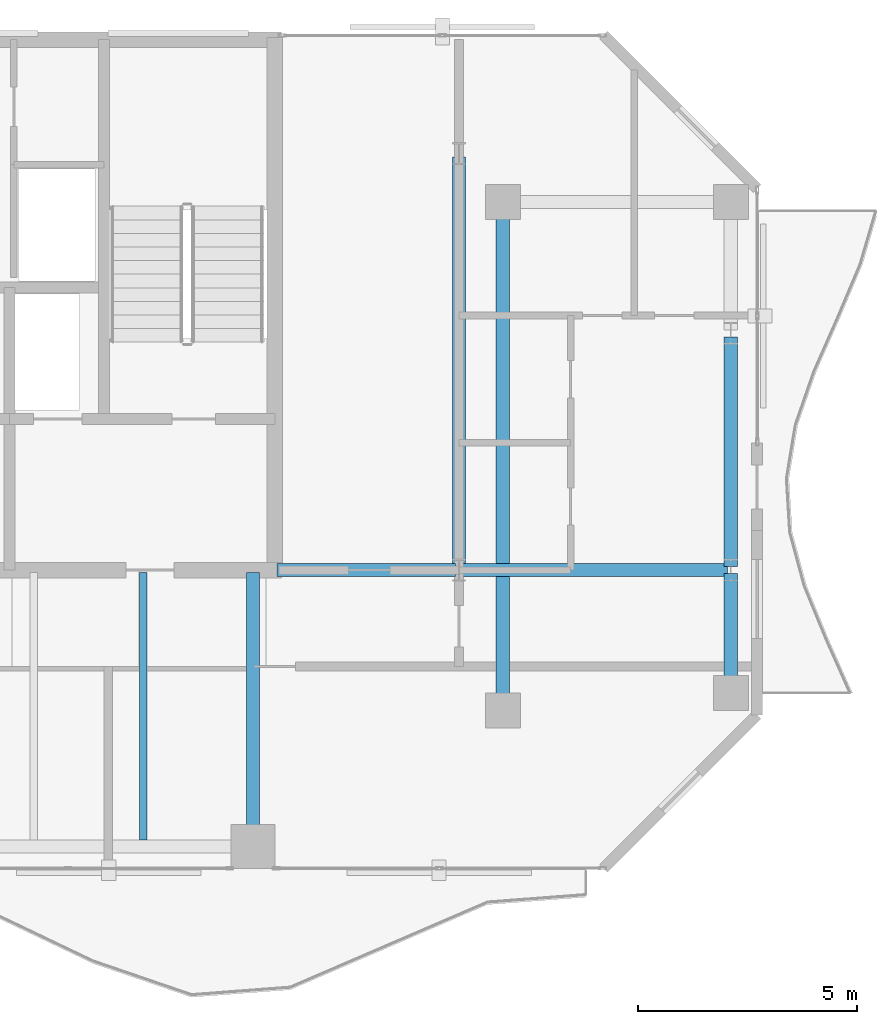
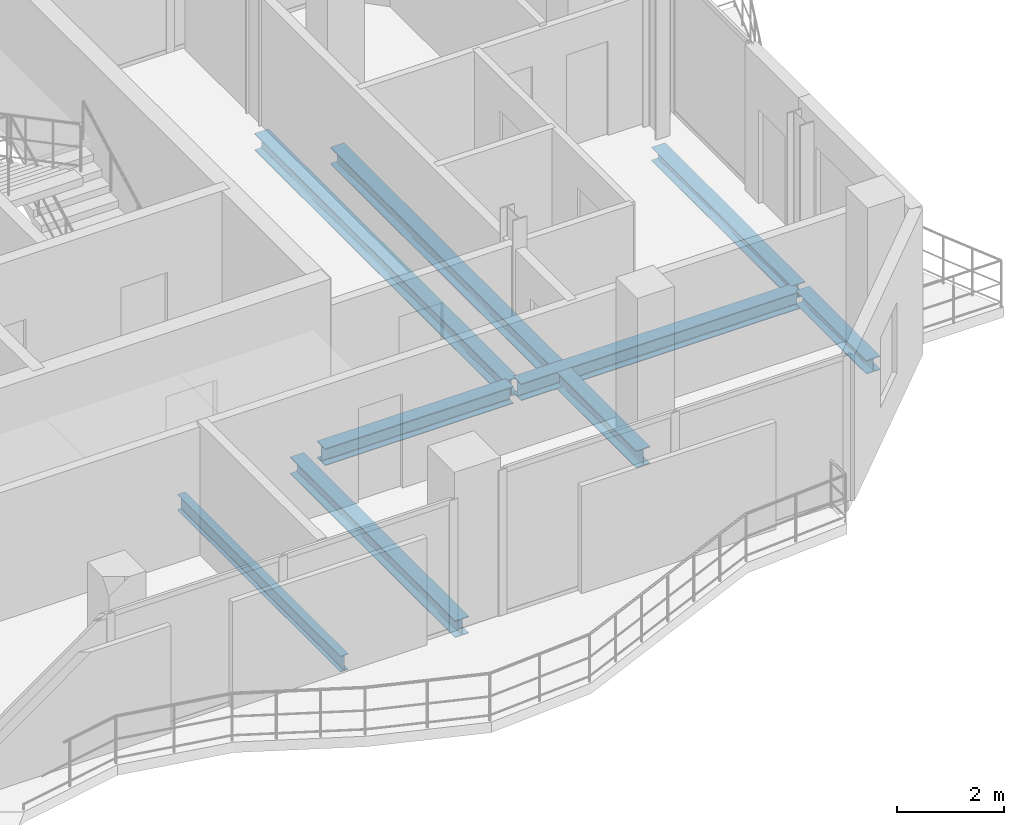
# One storey, part 13 of 23: 8 beams.
"""IFC4 building model written with IfcOpenShell, lengths in metres."""

from ifc_helpers import new_model, si_unit, direction, frame, origin, origin_2d, place, context, subcontext, project, spatial, i_section, extrude, material, material_profile, profile_set, type_object, element, save


model = new_model("IFC4")

# Units and contexts
model_context = context("Model", 3, precision=1e-05, world=origin(), true_north=direction((0.0, 1.0)))
body_context = subcontext(model_context, "Body", "Model", "MODEL_VIEW")
ifc_project = project(units=[si_unit("LENGTHUNIT", "METRE"), si_unit("AREAUNIT", "SQUARE_METRE"), si_unit("VOLUMEUNIT", "CUBIC_METRE"), si_unit("PLANEANGLEUNIT", "RADIAN"), si_unit("MASSUNIT", "GRAM", prefix="KILO")], contexts=[model_context])

# Site, building, storey
site_placement = place(None, origin())
site = spatial("IfcSite", under=ifc_project, at=site_placement, CompositionType="ELEMENT")
building_placement = place(site_placement, origin())
building = spatial("IfcBuilding", under=site, at=building_placement, Name="Catumbela Crestline Tower", CompositionType="ELEMENT")
storey_placement = place(building_placement, frame((0.0, 0.0, 165.0)))
storey = spatial("IfcBuildingStorey", under=building, at=storey_placement, Name="L42", CompositionType="ELEMENT", Elevation=165.0)

# Beams
ifc_material = material(Name="Structural steel S355J2", Category="steel")
ifc_material_profile_1 = material_profile(ifc_material, i_section(OverallWidth=0.3, OverallDepth=0.39, WebThickness=0.011, FlangeThickness=0.019, FilletRadius=0.027, at=origin_2d()), Name="HEA 400")
ifc_profile_set_1 = profile_set([ifc_material_profile_1], Name="Structural steel S355J2")
beam_type_1 = type_object("IfcBeamType", Name="BG-HEA400", PredefinedType="BEAM", material=ifc_profile_set_1)
beam_1_placement = place(storey_placement, frame((40.05, 30.8, -0.455), z_axis=(1.0, 0.0, 0.0), x_axis=(0.0, 1.0, 0.0)))
element("IfcBeam", 1, at=beam_1_placement, inside=storey, type_object=beam_type_1, Name="L42 Beam BM-L42-M08", PredefinedType="BEAM", context=body_context, shape_type="SweptSolid", body=[
    extrude(i_section(OverallWidth=0.3, OverallDepth=0.39, WebThickness=0.011, FlangeThickness=0.019, FilletRadius=0.027, at=origin_2d()), origin(), (0.0, 0.0, 1.0), 4.07),
])
beam_2_placement = place(storey_placement, frame((44.28, 30.8, -0.455), z_axis=(1.0, 0.0, 0.0), x_axis=(0.0, 1.0, 0.0)))
element("IfcBeam", 2, at=beam_2_placement, inside=storey, type_object=beam_type_1, Name="L42 Beam BM-L42-M09", PredefinedType="BEAM", context=body_context, shape_type="SweptSolid", body=[
    extrude(i_section(OverallWidth=0.3, OverallDepth=0.39, WebThickness=0.011, FlangeThickness=0.019, FilletRadius=0.027, at=origin_2d()), origin(), (0.0, 0.0, 1.0), 6.04),
])
beam_3_placement = place(storey_placement, frame((39.5, 24.58, -0.455), z_axis=(0.0, 1.0, 0.0), x_axis=(-1.0, 0.0, 0.0)))
element("IfcBeam", 3, at=beam_3_placement, inside=storey, type_object=beam_type_1, Name="L42 Beam BM-L42-SNS20", PredefinedType="BEAM", context=body_context, shape_type="SweptSolid", body=[
    extrude(i_section(OverallWidth=0.3, OverallDepth=0.39, WebThickness=0.011, FlangeThickness=0.019, FilletRadius=0.027, at=origin_2d()), origin(), (0.0, 0.0, 1.0), 6.17),
])
beam_4_placement = place(storey_placement, frame((44.2, 30.88, -0.455), z_axis=(0.0, 1.0, 0.0), x_axis=(-1.0, 0.0, 0.0)))
element("IfcBeam", 4, at=beam_4_placement, inside=storey, type_object=beam_type_1, Name="L42 Beam BM-L42-SN21", PredefinedType="BEAM", context=body_context, shape_type="SweptSolid", body=[
    extrude(i_section(OverallWidth=0.3, OverallDepth=0.39, WebThickness=0.011, FlangeThickness=0.019, FilletRadius=0.027, at=origin_2d()), origin(), (0.0, 0.0, 1.0), 9.34),
])
beam_5_placement = place(storey_placement, frame((45.2, 27.68, -0.455), z_axis=(0.0, 1.0, 0.0), x_axis=(-1.0, 0.0, 0.0)))
element("IfcBeam", 5, at=beam_5_placement, inside=storey, type_object=beam_type_1, Name="L42 Beam BM-L42-SN22", PredefinedType="BEAM", context=body_context, shape_type="SweptSolid", body=[
    extrude(i_section(OverallWidth=0.3, OverallDepth=0.39, WebThickness=0.011, FlangeThickness=0.019, FilletRadius=0.027, at=origin_2d()), origin(), (0.0, 0.0, 1.0), 11.44),
])
ifc_material_profile_2 = material_profile(ifc_material, i_section(OverallWidth=0.17, OverallDepth=0.36, WebThickness=0.008, FlangeThickness=0.0127, FilletRadius=0.018, at=origin_2d()), Name="IPE 360")
ifc_profile_set_2 = profile_set([ifc_material_profile_2], Name="Structural steel S355J2")
beam_type_2 = type_object("IfcBeamType", Name="BJ-IPE360", PredefinedType="JOIST", material=ifc_profile_set_2)
beam_6_placement = place(storey_placement, frame((37.0, 24.647, -0.44), z_axis=(0.0, 1.0, 0.0), x_axis=(-1.0, 0.0, 0.0)))
element("IfcBeam", 6, at=beam_6_placement, inside=storey, type_object=beam_type_2, Name="L42 Joist JS-L42-SP31", PredefinedType="JOIST", context=body_context, shape_type="SweptSolid", body=[
    extrude(i_section(OverallWidth=0.17, OverallDepth=0.36, WebThickness=0.008, FlangeThickness=0.0127, FilletRadius=0.018, at=origin_2d()), origin(), (0.0, 0.0, 1.0), 6.103),
])
ifc_material_profile_3 = material_profile(ifc_material, i_section(OverallWidth=0.3, OverallDepth=0.31, WebThickness=0.009, FlangeThickness=0.0155, FilletRadius=0.027, at=origin_2d()), Name="HEA 320")
ifc_profile_set_3 = profile_set([ifc_material_profile_3], Name="Structural steel S355J2")
beam_type_3 = type_object("IfcBeamType", Name="BS-HEA320", PredefinedType="SPANDREL", material=ifc_profile_set_3)
beam_7_placement = place(storey_placement, frame((50.4, 28.08, -0.415), z_axis=(0.0, 1.0, 0.0), x_axis=(-1.0, 0.0, 0.0)))
element("IfcBeam", 7, at=beam_7_placement, inside=storey, type_object=beam_type_3, Name="L42 Spandrel SP-L42-SN23", PredefinedType="SPANDREL", context=body_context, shape_type="SweptSolid", body=[
    extrude(i_section(OverallWidth=0.3, OverallDepth=0.31, WebThickness=0.009, FlangeThickness=0.0155, FilletRadius=0.027, at=origin_2d()), origin(), (0.0, 0.0, 1.0), 2.64),
])
beam_8_placement = place(storey_placement, frame((50.4, 30.88, -0.415), z_axis=(0.0, 1.0, 0.0), x_axis=(-1.0, 0.0, 0.0)))
element("IfcBeam", 8, at=beam_8_placement, inside=storey, type_object=beam_type_3, Name="L42 Spandrel SP-L42-SN24", PredefinedType="SPANDREL", context=body_context, shape_type="SweptSolid", body=[
    extrude(i_section(OverallWidth=0.3, OverallDepth=0.31, WebThickness=0.009, FlangeThickness=0.0155, FilletRadius=0.027, at=origin_2d()), origin(), (0.0, 0.0, 1.0), 5.24),
])

save(model, "model.ifc")
